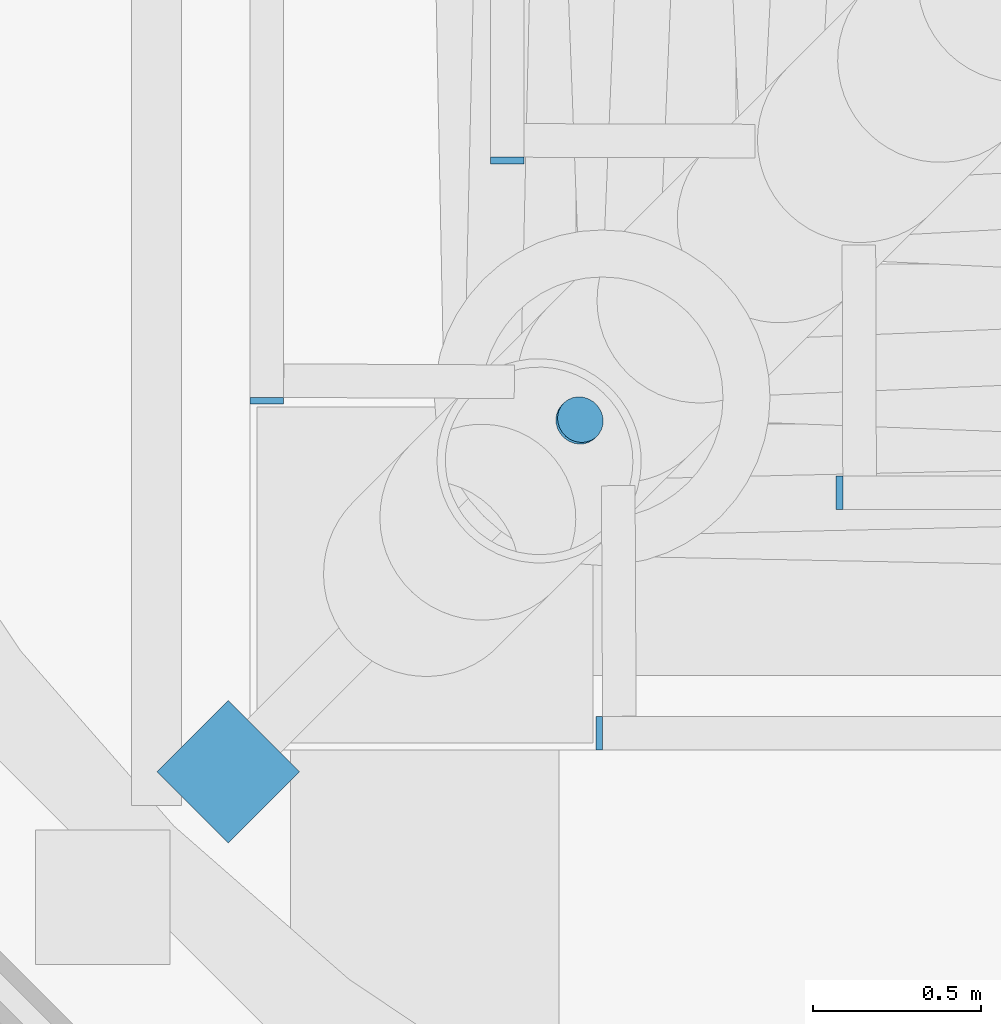
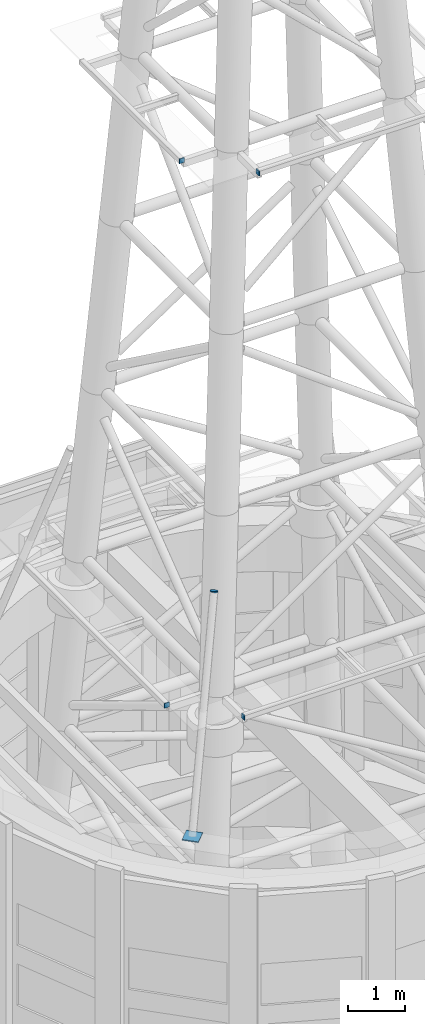
# One storey, part 25 of 36: 6 discrete accessories.
"""IFC4 building model written with IfcOpenShell, lengths in metres."""

from ifc_helpers import new_model, si_unit, direction, frame, origin, origin_2d, place, context, subcontext, project, spatial, rectangle, circle, extrude, material, material_profile, profile_set, type_object, element, save


model = new_model("IFC4")

# Units and contexts
model_context = context("Model", 3, precision=1e-05, world=origin(), true_north=direction((0.0, 1.0)))
body_context = subcontext(model_context, "Body", "Model", "MODEL_VIEW")
ifc_project = project(units=[si_unit("LENGTHUNIT", "METRE"), si_unit("AREAUNIT", "SQUARE_METRE"), si_unit("VOLUMEUNIT", "CUBIC_METRE"), si_unit("PLANEANGLEUNIT", "RADIAN"), si_unit("MASSUNIT", "GRAM", prefix="KILO")], contexts=[model_context])

# Site, building, storey
site_placement = place(None, origin())
site = spatial("IfcSite", under=ifc_project, at=site_placement, CompositionType="ELEMENT")
building_placement = place(site_placement, origin())
building = spatial("IfcBuilding", under=site, at=building_placement, Name="Ipe Terrace Towers", CompositionType="ELEMENT")
storey_placement = place(building_placement, frame((0.0, 0.0, 264.89990234375)))
storey = spatial("IfcBuildingStorey", under=building, at=storey_placement, Name="Roof", CompositionType="ELEMENT", Elevation=264.89990234375)

# Discrete accessories
ifc_material_1 = material(Name="Steel S355", Category="steel")
ifc_material_profile_1 = material_profile(ifc_material_1, rectangle(XDim=0.10009765625, YDim=0.10009765625, at=origin_2d()), Name="MAST END PLATE 100 x 100 x 20")
ifc_profile_set_1 = profile_set([ifc_material_profile_1], Name="Steel S355")
discrete_accessory_type_1 = type_object("IfcDiscreteAccessoryType", Name="MAST END PLATE 100 x 100 x 20", PredefinedType="BRACKET", material=ifc_profile_set_1)
for number, where, z_axis, x_axis, name in (
    (1, (32.529052734375, -2.470947265625, 10.2470703125), (0.0, -1.0, 0.0), (1.0, 0.0, 0.0), "mast end plate"),
    (2, (33.529052734375, -3.470947265625, 10.2470703125), (-1.0, 0.0, 0.0), (0.0, -1.0, 0.0), "mast end plate"),
    (3, (33.2451171875, -1.7548828125, 21.31005859375), (0.0, -1.0, 0.0), (1.0, 0.0, 0.0), "mast end plate"),
    (4, (34.2451171875, -2.7548828125, 21.31005859375), (-1.0, 0.0, 0.0), (0.0, -1.0, 0.0), "mast end plate"),
):
    element("IfcDiscreteAccessory", number, at=place(storey_placement, frame(where, z_axis=z_axis, x_axis=x_axis)), inside=storey, type_object=discrete_accessory_type_1, Name=name, PredefinedType="BRACKET", context=body_context, shape_type="SweptSolid", body=[
        extrude(rectangle(XDim=0.10009765625, YDim=0.10009765625, at=origin_2d()), origin(), (0.0, 0.0, 1.0), 0.02001953125),
    ])
ifc_material_2 = material(Name="Steel S355", Category="steel")
ifc_material_profile_2 = material_profile(ifc_material_2, circle(Radius=0.070068359375, at=origin_2d()), Name="MAST END PLATE 140 DIA x 20")
ifc_profile_set_2 = profile_set([ifc_material_profile_2], Name="Steel S355")
discrete_accessory_type_2 = type_object("IfcDiscreteAccessoryType", Name="MAST END PLATE 140 DIA x 20", PredefinedType="BRACKET", material=ifc_profile_set_2)
discrete_accessory_1_placement = place(storey_placement, frame((33.4580078125, -2.5419921875, 12.403076171875), z_axis=(0.241051348201, 0.241051348201, 0.940100257984), x_axis=(-0.707106781187, 0.707106781187, 0.0)))
element("IfcDiscreteAccessory", 5, at=discrete_accessory_1_placement, inside=storey, type_object=discrete_accessory_type_2, Name="mast end plate", PredefinedType="BRACKET", context=body_context, shape_type="SweptSolid", body=[
    extrude(circle(Radius=0.070068359375, at=origin_2d()), origin(), (0.0, 0.0, 1.0), 0.020263671875),
])
ifc_material_3 = material(Name="Steel S355", Category="steel")
discrete_accessory_type_3 = type_object("IfcDiscreteAccessoryType", Name="MAST STAY BASE PLATE 300 x 300 x 20", PredefinedType="BRACKET", material=ifc_material_3)
discrete_accessory_2_placement = place(storey_placement, frame((32.4140625, -3.5859375, 8.110107421875), z_axis=(0.0, 0.0, 1.0), x_axis=(0.707106781187, 0.707106781187, 0.0)))
element("IfcDiscreteAccessory", 6, at=discrete_accessory_2_placement, inside=storey, type_object=discrete_accessory_type_3, Name="mast stay base plate", PredefinedType="BRACKET", context=body_context, shape_type="SweptSolid", body=[
    extrude(rectangle(XDim=0.300048828125, YDim=0.300048828125, at=origin_2d()), origin(), (0.0, 0.0, 1.0), 0.02001953125),
])

save(model, "model.ifc")
